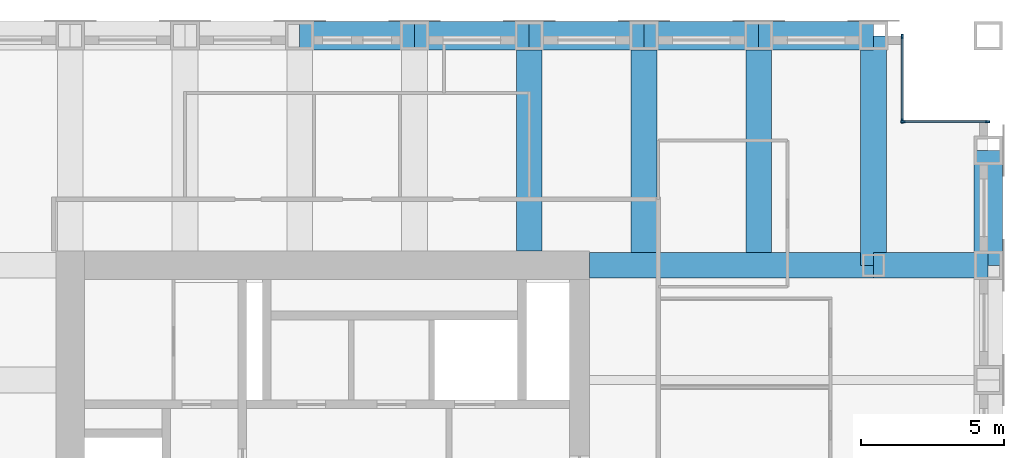
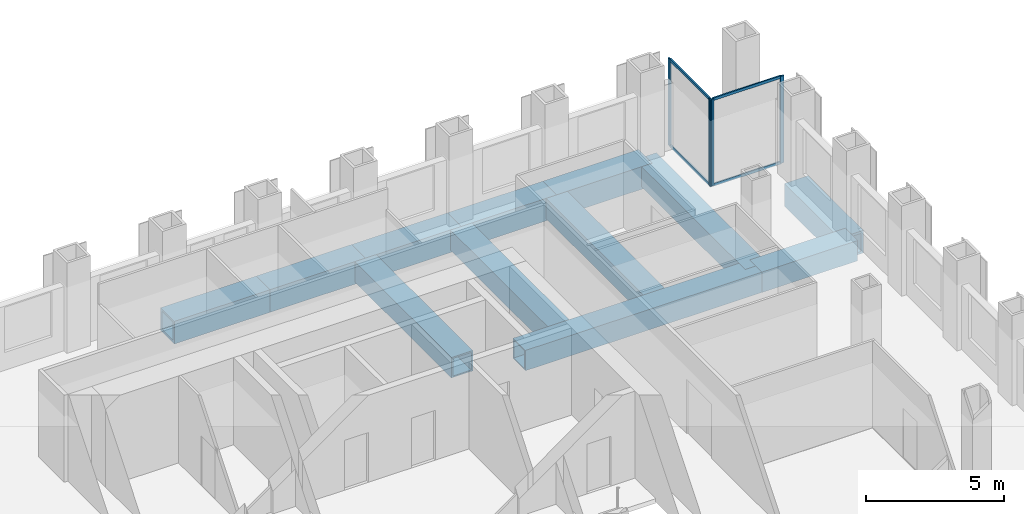
# One storey, part 6 of 11: 12 beams, 8 members, 2 elements without a shape of their own.
"""IFC4 building model written with IfcOpenShell, lengths in metres."""

from ifc_helpers import new_model, si_unit, direction, frame, origin, origin_2d, place, context, subcontext, project, spatial, rectangle, hollow_rectangle, extrude, material, material_profile, profile_set, type_object, element, aggregate, save


model = new_model("IFC4")

# Units and contexts
model_context = context("Model", 3, precision=1e-05, world=origin(), true_north=direction((0.0, 1.0)))
body_context = subcontext(model_context, "Body", "Model", "MODEL_VIEW")
ifc_project = project(units=[si_unit("LENGTHUNIT", "METRE"), si_unit("AREAUNIT", "SQUARE_METRE"), si_unit("VOLUMEUNIT", "CUBIC_METRE"), si_unit("PLANEANGLEUNIT", "RADIAN"), si_unit("MASSUNIT", "GRAM", prefix="KILO")], contexts=[model_context])

# Site, building, storey
site_placement = place(None, origin())
site = spatial("IfcSite", under=ifc_project, at=site_placement, CompositionType="ELEMENT")
building_placement = place(site_placement, origin())
building = spatial("IfcBuilding", under=site, at=building_placement, Name="Rimbunsela Tower", CompositionType="ELEMENT")
storey_placement = place(building_placement, frame((0.0, 0.0, 246.199951171875)))
storey = spatial("IfcBuildingStorey", under=building, at=storey_placement, Name="L59", CompositionType="ELEMENT", Elevation=246.199951171875)

# Beams
ifc_material_1 = material(Name="Steel BJ 55 (fy 410 MPa)", Category="steel")
ifc_material_profile_1 = material_profile(ifc_material_1, hollow_rectangle(XDim=1.0, YDim=1.0, WallThickness=0.10009765625, at=origin_2d()), Name="BOX 1000x1000x100")
ifc_profile_set_1 = profile_set([ifc_material_profile_1], Name="Steel BJ 55 (fy 410 MPa)")
beam_type_1 = type_object("IfcBeamType", Name="Beam BOX 1000x1000x100", PredefinedType="BEAM", material=ifc_profile_set_1)
for number, where, z_axis, x_axis, name in (
    (1, (26.0, 44.0, -0.64990234375), (1.0, 0.0, 0.0), (0.0, 1.0, 0.0), "Beam B3 L59"),
    (2, (30.0, 44.0, -0.64990234375), (1.0, 0.0, 0.0), (0.0, 1.0, 0.0), "Beam B3 L59"),
    (3, (34.0, 44.0, -0.64990234375), (1.0, 0.0, 0.0), (0.0, 1.0, 0.0), "Beam B3 L59"),
    (4, (38.0, 44.0, -0.64990234375), (1.0, 0.0, 0.0), (0.0, 1.0, 0.0), "Beam B3 L59"),
    (5, (42.0, 44.0, -0.64990234375), (1.0, 0.0, 0.0), (0.0, 1.0, 0.0), "Beam B3 L59"),
    (6, (50.0, 36.0, -0.64990234375), (0.0, 1.0, 0.0), (-1.0, 0.0, 0.0), "Beam B3 L59"),
):
    element("IfcBeam", number, at=place(storey_placement, frame(where, z_axis=z_axis, x_axis=x_axis)), inside=storey, type_object=beam_type_1, Name=name, PredefinedType="BEAM", context=body_context, shape_type="SweptSolid", body=[
        extrude(hollow_rectangle(XDim=1.0, YDim=1.0, WallThickness=0.10009765625, at=origin_2d()), origin(), (0.0, 0.0, 1.0), 4.0),
    ])
ifc_material_2 = material(Name="Steel BJ 55 (fy 410 MPa)", Category="steel")
ifc_material_profile_2 = material_profile(ifc_material_2, hollow_rectangle(XDim=0.89990234375, YDim=0.89990234375, WallThickness=0.06005859375, at=origin_2d()), Name="BOX 900x900x60")
ifc_profile_set_2 = profile_set([ifc_material_profile_2], Name="Steel BJ 55 (fy 410 MPa)")
beam_type_2 = type_object("IfcBeamType", Name="Beam BOX 900x900x60", PredefinedType="BEAM", material=ifc_profile_set_2)
beam_1_placement = place(storey_placement, frame((34.0, 36.5, -0.599853515625), z_axis=(0.0, 1.0, 0.0), x_axis=(-1.0, 0.0, 0.0)))
element("IfcBeam", 7, at=beam_1_placement, inside=storey, type_object=beam_type_2, Name="Beam B1 L59", PredefinedType="BEAM", context=body_context, shape_type="SweptSolid", body=[
    extrude(hollow_rectangle(XDim=0.89990234375, YDim=0.89990234375, WallThickness=0.06005859375, at=origin_2d()), origin(), (0.0, 0.0, 1.0), 7.5),
])
beam_2_placement = place(storey_placement, frame((36.10009765625, 36.0, -0.599853515625), z_axis=(1.0, 0.0, 0.0), x_axis=(0.0, 1.0, 0.0)))
element("IfcBeam", 8, at=beam_2_placement, inside=storey, type_object=beam_type_2, Name="Beam B1 L59", PredefinedType="BEAM", context=body_context, shape_type="SweptSolid", body=[
    extrude(hollow_rectangle(XDim=0.89990234375, YDim=0.89990234375, WallThickness=0.06005859375, at=origin_2d()), origin(), (0.0, 0.0, 1.0), 9.89990234375),
])
for number, where, z_axis, x_axis, name in (
    (9, (38.0, 36.449951171875, -0.599853515625), (0.0, 1.0, 0.0), (-1.0, 0.0, 0.0), "Beam B1 L59"),
    (10, (42.0, 36.449951171875, -0.599853515625), (0.0, 1.0, 0.0), (-1.0, 0.0, 0.0), "Beam B1 L59"),
):
    element("IfcBeam", number, at=place(storey_placement, frame(where, z_axis=z_axis, x_axis=x_axis)), inside=storey, type_object=beam_type_2, Name=name, PredefinedType="BEAM", context=body_context, shape_type="SweptSolid", body=[
        extrude(hollow_rectangle(XDim=0.89990234375, YDim=0.89990234375, WallThickness=0.06005859375, at=origin_2d()), origin(), (0.0, 0.0, 1.0), 7.550048828125),
    ])
beam_3_placement = place(storey_placement, frame((46.0, 36.0, -0.599853515625), z_axis=(0.0, 1.0, 0.0), x_axis=(-1.0, 0.0, 0.0)))
element("IfcBeam", 11, at=beam_3_placement, inside=storey, type_object=beam_type_2, Name="Beam B1 L59", PredefinedType="BEAM", context=body_context, shape_type="SweptSolid", body=[
    extrude(hollow_rectangle(XDim=0.89990234375, YDim=0.89990234375, WallThickness=0.06005859375, at=origin_2d()), origin(), (0.0, 0.0, 1.0), 8.0),
])
beam_4_placement = place(storey_placement, frame((46.0, 36.0, -0.599853515625), z_axis=(1.0, 0.0, 0.0), x_axis=(0.0, 1.0, 0.0)))
element("IfcBeam", 12, at=beam_4_placement, inside=storey, type_object=beam_type_2, Name="Beam B1 L59", PredefinedType="BEAM", context=body_context, shape_type="SweptSolid", body=[
    extrude(hollow_rectangle(XDim=0.89990234375, YDim=0.89990234375, WallThickness=0.06005859375, at=origin_2d()), origin(), (0.0, 0.0, 1.0), 4.0),
])

# Curtain wall, members
ifc_material_3 = material(Name="Aluminium curtain wall", Category="aluminium")
curtain_wall_type = type_object("IfcCurtainWallType", Name="Corner glazing", PredefinedType="USERDEFINED", material=ifc_material_3)
curtain_wall_1_placement = place(storey_placement, origin())
curtain_wall_1 = element("IfcCurtainWall", 13, at=curtain_wall_1_placement, inside=storey, type_object=curtain_wall_type, Name="Corner glazing L59", ObjectType="CORNER GLAZING", PredefinedType="USERDEFINED")
ifc_material_4 = material(Name="Aluminium mullion", Category="aluminium")
ifc_material_profile_3 = material_profile(ifc_material_4, rectangle(XDim=0.06005859375, YDim=0.159912109375, at=origin_2d()), Name="Mullion 60x160")
ifc_profile_set_3 = profile_set([ifc_material_profile_3], Name="Aluminium mullion")
member_type_1 = type_object("IfcMemberType", Name="Curtain wall mullion 60x160", PredefinedType="MULLION", material=ifc_profile_set_3)
member_1_placement = place(storey_placement, frame((49.969970703125, 41.0, 0.0), z_axis=(0.0, 0.0, 1.0), x_axis=(0.0, -1.0, 0.0)))
member_1 = element("IfcMember", 14, at=member_1_placement, type_object=member_type_1, Name="CW5 mullion 1", PredefinedType="MULLION", context=body_context, shape_type="SweptSolid", body=[
    extrude(rectangle(XDim=0.06005859375, YDim=0.159912109375, at=origin_2d()), origin(), (0.0, 0.0, 1.0), 3.85009765625),
])
member_2_placement = place(storey_placement, frame((47.030029296875, 41.0, 0.0), z_axis=(0.0, 0.0, 1.0), x_axis=(0.0, -1.0, 0.0)))
member_2 = element("IfcMember", 15, at=member_2_placement, type_object=member_type_1, Name="CW5 mullion 2", PredefinedType="MULLION", context=body_context, shape_type="SweptSolid", body=[
    extrude(rectangle(XDim=0.06005859375, YDim=0.159912109375, at=origin_2d()), origin(), (0.0, 0.0, 1.0), 3.85009765625),
])

curtain_wall_2_placement = place(storey_placement, origin())
curtain_wall_2 = element("IfcCurtainWall", 16, at=curtain_wall_2_placement, inside=storey, type_object=curtain_wall_type, Name="Corner glazing L59", ObjectType="CORNER GLAZING", PredefinedType="USERDEFINED")
member_3_placement = place(storey_placement, frame((47.0, 41.030029296875, 0.0), z_axis=(0.0, 0.0, 1.0), x_axis=(-1.0, 0.0, 0.0)))
member_3 = element("IfcMember", 17, at=member_3_placement, type_object=member_type_1, Name="CW5 mullion 1", PredefinedType="MULLION", context=body_context, shape_type="SweptSolid", body=[
    extrude(rectangle(XDim=0.06005859375, YDim=0.159912109375, at=origin_2d()), origin(), (0.0, 0.0, 1.0), 3.85009765625),
])
member_4_placement = place(storey_placement, frame((47.0, 43.969970703125, 0.0), z_axis=(0.0, 0.0, 1.0), x_axis=(-1.0, 0.0, 0.0)))
member_4 = element("IfcMember", 18, at=member_4_placement, type_object=member_type_1, Name="CW5 mullion 2", PredefinedType="MULLION", context=body_context, shape_type="SweptSolid", body=[
    extrude(rectangle(XDim=0.06005859375, YDim=0.159912109375, at=origin_2d()), origin(), (0.0, 0.0, 1.0), 3.85009765625),
])

# Member
ifc_material_5 = material(Name="Aluminium transom", Category="aluminium")
ifc_material_profile_4 = material_profile(ifc_material_5, rectangle(XDim=0.06005859375, YDim=0.1201171875, at=origin_2d()), Name="Transom 60x120")
ifc_profile_set_4 = profile_set([ifc_material_profile_4], Name="Aluminium transom")
member_type_2 = type_object("IfcMemberType", Name="Curtain wall transom 60x120", PredefinedType="USERDEFINED", material=ifc_profile_set_4)
member_5_placement = place(storey_placement, frame((49.93994140625, 41.0, 0.030029296875), z_axis=(-1.0, 0.0, 0.0), x_axis=(0.0, -1.0, 0.0)))
member_5 = element("IfcMember", 19, at=member_5_placement, type_object=member_type_2, Name="CW5 transom 1.1", ObjectType="TRANSOM", PredefinedType="USERDEFINED", context=body_context, shape_type="SweptSolid", body=[
    extrude(rectangle(XDim=0.06005859375, YDim=0.1201171875, at=origin_2d()), origin(), (0.0, 0.0, 1.0), 2.8798828125),
])

member_6_placement = place(storey_placement, frame((49.93994140625, 41.0, 3.820068359375), z_axis=(-1.0, 0.0, 0.0), x_axis=(0.0, -1.0, 0.0)))
member_6 = element("IfcMember", 20, at=member_6_placement, type_object=member_type_2, Name="CW5 transom 1.2", ObjectType="TRANSOM", PredefinedType="USERDEFINED", context=body_context, shape_type="SweptSolid", body=[
    extrude(rectangle(XDim=0.06005859375, YDim=0.1201171875, at=origin_2d()), origin(), (0.0, 0.0, 1.0), 2.8798828125),
])

aggregate(curtain_wall_1, [member_1, member_2, member_5, member_6])

member_7_placement = place(storey_placement, frame((47.0, 41.06005859375, 0.030029296875), z_axis=(0.0, 1.0, 0.0), x_axis=(-1.0, 0.0, 0.0)))
member_7 = element("IfcMember", 21, at=member_7_placement, type_object=member_type_2, Name="CW5 transom 1.1", ObjectType="TRANSOM", PredefinedType="USERDEFINED", context=body_context, shape_type="SweptSolid", body=[
    extrude(rectangle(XDim=0.06005859375, YDim=0.1201171875, at=origin_2d()), origin(), (0.0, 0.0, 1.0), 2.8798828125),
])

member_8_placement = place(storey_placement, frame((47.0, 41.06005859375, 3.820068359375), z_axis=(0.0, 1.0, 0.0), x_axis=(-1.0, 0.0, 0.0)))
member_8 = element("IfcMember", 22, at=member_8_placement, type_object=member_type_2, Name="CW5 transom 1.2", ObjectType="TRANSOM", PredefinedType="USERDEFINED", context=body_context, shape_type="SweptSolid", body=[
    extrude(rectangle(XDim=0.06005859375, YDim=0.1201171875, at=origin_2d()), origin(), (0.0, 0.0, 1.0), 2.8798828125),
])

aggregate(curtain_wall_2, [member_3, member_4, member_7, member_8])

save(model, "model.ifc")
